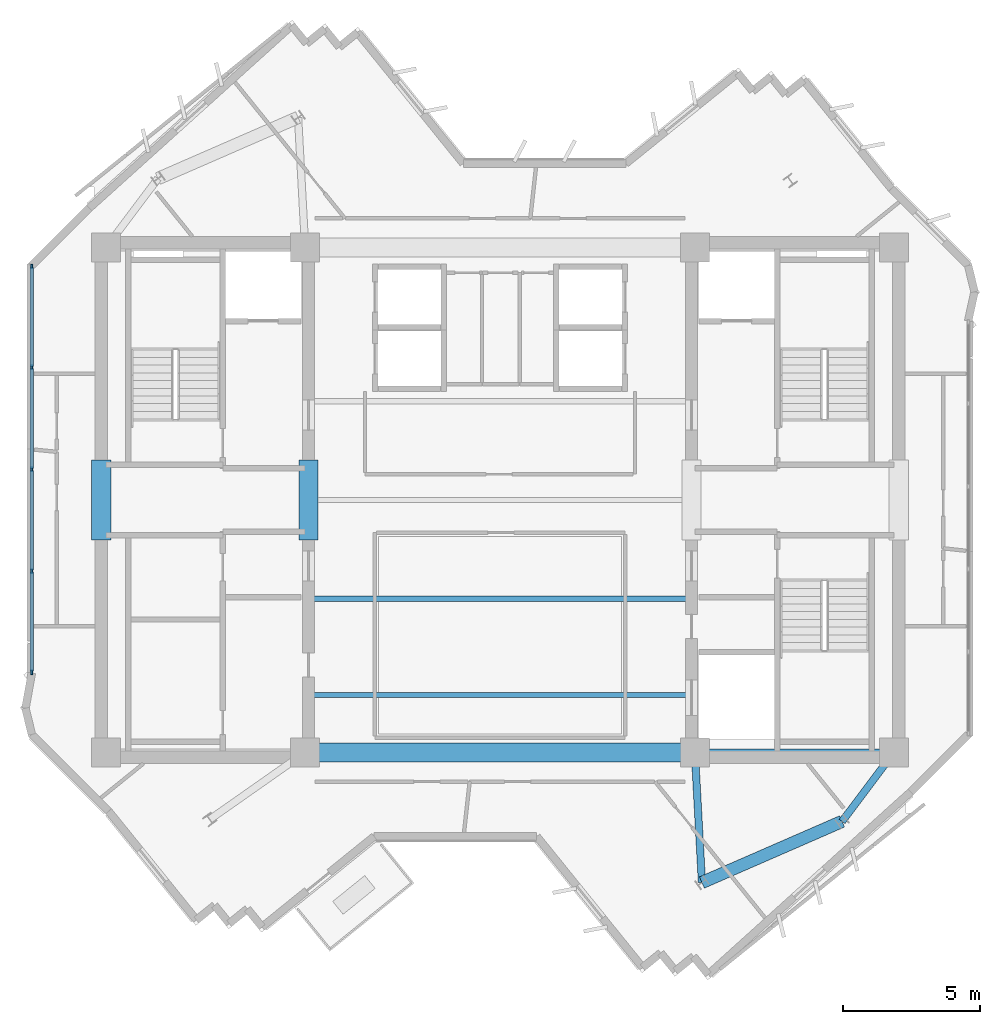
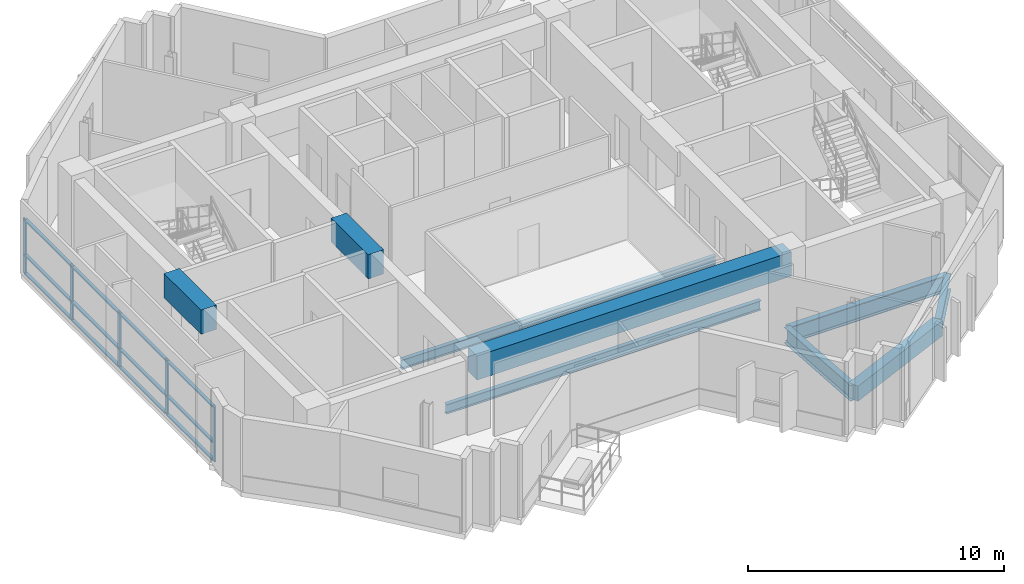
# One storey, part 2 of 11: 17 members, 9 beams, 1 element without a shape of its own.
"""IFC4 building model written with IfcOpenShell, lengths in metres."""

from ifc_helpers import new_model, si_unit, direction, frame, origin, origin_2d, place, context, subcontext, project, spatial, rectangle, i_section, extrude, source, transform, mapped, material, layer, layer_set, material_profile, profile_set, type_object, element, aggregate, save


model = new_model("IFC4")

# Units and contexts
model_context = context("Model", 3, precision=1e-05, world=origin(), true_north=direction((0.0, 1.0)))
body_context = subcontext(model_context, "Body", "Model", "MODEL_VIEW")
ifc_project = project(units=[si_unit("LENGTHUNIT", "METRE"), si_unit("AREAUNIT", "SQUARE_METRE"), si_unit("VOLUMEUNIT", "CUBIC_METRE"), si_unit("PLANEANGLEUNIT", "RADIAN"), si_unit("MASSUNIT", "GRAM", prefix="KILO")], contexts=[model_context])

# Site, building, storey
site_placement = place(None, origin())
site = spatial("IfcSite", under=ifc_project, at=site_placement, CompositionType="ELEMENT")
building_placement = place(site_placement, origin())
building = spatial("IfcBuilding", under=site, at=building_placement, Name="Zahravan Cultural Tower", CompositionType="ELEMENT")
storey_placement = place(building_placement, frame((0.0, 0.0, 284.10009765625)))
storey = spatial("IfcBuildingStorey", under=building, at=storey_placement, Name="L68", CompositionType="ELEMENT", Elevation=284.10009765625)

# Beams
ifc_material_1 = material(Name="Concrete C50/60", Category="concrete")
ifc_material_profile_1 = material_profile(ifc_material_1, rectangle(XDim=0.699951171875, YDim=1.14990234375, at=origin_2d()), Name="RC700X1150")
ifc_profile_set_1 = profile_set([ifc_material_profile_1], Name="Concrete C50/60")
beam_type_1 = type_object("IfcBeamType", Name="BM-LN-RC700X1150", PredefinedType="LINTEL", material=ifc_profile_set_1)
shared_shape_1 = source(origin(), body_context, "Body", "SweptSolid", [
    extrude(rectangle(XDim=0.699951171875, YDim=1.14990234375, at=origin_2d()), origin(), (0.0, 0.0, 1.0), 14.2001953125),
])
beam_1_placement = place(storey_placement, frame((28.89990234375, 17.800048828125, 2.9248046875), z_axis=(1.0, 0.0, 0.0), x_axis=(0.0, 1.0, 0.0)))
element("IfcBeam", 1, at=beam_1_placement, inside=storey, type_object=beam_type_1, Name="L68 Beam LN-L68-S", PredefinedType="LINTEL", context=body_context, shape_type="MappedRepresentation", body=[
    mapped(shared_shape_1, transform((0.0, 0.0, 0.0), x_axis=(1.0, 0.0, 0.0), y_axis=(0.0, 1.0, 0.0), z_axis=(0.0, 0.0, 1.0), scale=1.0)),
])
shared_shape_2 = source(origin(), body_context, "Body", "SweptSolid", [
    extrude(rectangle(XDim=0.699951171875, YDim=1.14990234375, at=origin_2d()), origin(), (0.0, 0.0, 1.0), 2.89990234375),
])
for number, where, z_axis, x_axis, name in (
    (2, (21.47509765625, 25.550048828125, 2.9248046875), (0.0, 1.0, 0.0), (-1.0, 0.0, 0.0), "L68 Beam LN-L68-PWW"),
    (3, (29.02490234375, 25.550048828125, 2.9248046875), (0.0, 1.0, 0.0), (-1.0, 0.0, 0.0), "L68 Beam LN-L68-PWE"),
):
    element("IfcBeam", number, at=place(storey_placement, frame(where, z_axis=z_axis, x_axis=x_axis)), inside=storey, type_object=beam_type_1, Name=name, PredefinedType="LINTEL", context=body_context, shape_type="MappedRepresentation", body=[
        mapped(shared_shape_2, transform((0.0, 0.0, 0.0), x_axis=(1.0, 0.0, 0.0), y_axis=(0.0, 1.0, 0.0), z_axis=(0.0, 0.0, 1.0), scale=1.0)),
    ])
ifc_material_2 = material(Name="Steel ASTM A992 Grade 50", Category="steel")
ifc_material_profile_2 = material_profile(ifc_material_2, i_section(OverallWidth=0.26611328125, OverallDepth=0.780029296875, WebThickness=0.0166015625, FlangeThickness=0.030029296875, FilletRadius=0.01904296875, at=origin_2d()), Name="W30X148")
ifc_profile_set_2 = profile_set([ifc_material_profile_2], Name="Steel ASTM A992 Grade 50")
beam_type_2 = type_object("IfcBeamType", Name="BM-G-W30X148", PredefinedType="BEAM", material=ifc_profile_set_2)
shared_shape_3 = source(origin(), body_context, "Body", "SweptSolid", [
    extrude(i_section(OverallWidth=0.26611328125, OverallDepth=0.780029296875, WebThickness=0.0166015625, FlangeThickness=0.030029296875, FilletRadius=0.01904296875, at=origin_2d()), origin(), (0.0, 0.0, 1.0), 7.25),
])
beam_2_placement = place(storey_placement, frame((43.10009765625, 17.800048828125, -0.64013671875), z_axis=(1.0, 0.0, 0.0), x_axis=(0.0, 1.0, 0.0)))
element("IfcBeam", 4, at=beam_2_placement, inside=storey, type_object=beam_type_2, Name="L68 Beam BG-L68-04", PredefinedType="BEAM", context=body_context, shape_type="MappedRepresentation", body=[
    mapped(shared_shape_3, transform((0.0, 0.0, 0.0), x_axis=(1.0, 0.0, 0.0), y_axis=(0.0, 1.0, 0.0), z_axis=(0.0, 0.0, 1.0), scale=1.0)),
])
ifc_material_profile_3 = material_profile(ifc_material_2, i_section(OverallWidth=0.26708984375, OverallDepth=0.761962890625, WebThickness=0.014404296875, FlangeThickness=0.021484375, FilletRadius=0.01904296875, at=origin_2d()), Name="W30X116")
ifc_profile_set_3 = profile_set([ifc_material_profile_3], Name="Steel ASTM A992 Grade 50")
beam_type_3 = type_object("IfcBeamType", Name="BM-G-W30X116", PredefinedType="BEAM", material=ifc_profile_set_3)
shared_shape_4 = source(origin(), body_context, "Body", "SweptSolid", [
    extrude(i_section(OverallWidth=0.26708984375, OverallDepth=0.761962890625, WebThickness=0.014404296875, FlangeThickness=0.021484375, FilletRadius=0.01904296875, at=origin_2d()), origin(), (0.0, 0.0, 1.0), 4.744384765625),
])
beam_3_placement = place(storey_placement, frame((43.10009765625, 17.800048828125, -0.631103515625), z_axis=(0.054238739845, -0.998527996152, 0.0), x_axis=(0.998527996152, 0.054238739845, 0.0)))
element("IfcBeam", 5, at=beam_3_placement, inside=storey, type_object=beam_type_3, Name="L68 Beam BG-L68-08", PredefinedType="BEAM", context=body_context, shape_type="MappedRepresentation", body=[
    mapped(shared_shape_4, transform((0.0, 0.0, 0.0), x_axis=(1.0, 0.0, 0.0), y_axis=(0.0, 1.0, 0.0), z_axis=(0.0, 0.0, 1.0), scale=1.0)),
])
shared_shape_5 = source(origin(), body_context, "Body", "SweptSolid", [
    extrude(i_section(OverallWidth=0.26708984375, OverallDepth=0.761962890625, WebThickness=0.014404296875, FlangeThickness=0.021484375, FilletRadius=0.01904296875, at=origin_2d()), origin(), (0.0, 0.0, 1.0), 3.140380859375),
])
beam_4_placement = place(storey_placement, frame((50.35009765625, 17.800048828125, -0.631103515625), z_axis=(-0.600696322208, -0.799477284534, 0.0), x_axis=(0.799477284534, -0.600696322208, 0.0)))
element("IfcBeam", 6, at=beam_4_placement, inside=storey, type_object=beam_type_3, Name="L68 Beam BG-L68-09", PredefinedType="BEAM", context=body_context, shape_type="MappedRepresentation", body=[
    mapped(shared_shape_5, transform((0.0, 0.0, 0.0), x_axis=(1.0, 0.0, 0.0), y_axis=(0.0, 1.0, 0.0), z_axis=(0.0, 0.0, 1.0), scale=1.0)),
])
ifc_material_3 = material(Name="Concrete C45/55", Category="concrete")
ifc_material_profile_4 = material_profile(ifc_material_3, rectangle(XDim=0.449951171875, YDim=0.719970703125, at=origin_2d()), Name="RC450X720")
ifc_profile_set_4 = profile_set([ifc_material_profile_4], Name="Concrete C45/55")
beam_type_4 = type_object("IfcBeamType", Name="BM-SP-RC450X720", PredefinedType="SPANDREL", material=ifc_profile_set_4)
shared_shape_6 = source(origin(), body_context, "Body", "SweptSolid", [
    extrude(rectangle(XDim=0.449951171875, YDim=0.719970703125, at=origin_2d()), origin(), (0.0, 0.0, 1.0), 5.570556640625),
])
beam_5_placement = place(storey_placement, frame((43.357421875, 13.062744140625, -0.610107421875), z_axis=(0.9166445026, 0.399703459896, 0.0), x_axis=(-0.399703459896, 0.9166445026, 0.0)))
element("IfcBeam", 7, at=beam_5_placement, inside=storey, type_object=beam_type_4, Name="L68 Beam SP-L68-12", PredefinedType="SPANDREL", context=body_context, shape_type="MappedRepresentation", body=[
    mapped(shared_shape_6, transform((0.0, 0.0, 0.0), x_axis=(1.0, 0.0, 0.0), y_axis=(0.0, 1.0, 0.0), z_axis=(0.0, 0.0, 1.0), scale=1.0)),
])
ifc_material_profile_5 = material_profile(ifc_material_2, i_section(OverallWidth=0.18994140625, OverallDepth=0.45703125, WebThickness=0.009033203125, FlangeThickness=0.014404296875, FilletRadius=0.012939453125, at=origin_2d()), Name="W18X50")
ifc_profile_set_5 = profile_set([ifc_material_profile_5], Name="Steel ASTM A992 Grade 50")
beam_type_5 = type_object("IfcBeamType", Name="BM-J-W18X50", PredefinedType="JOIST", material=ifc_profile_set_5)
shared_shape_7 = source(origin(), body_context, "Body", "SweptSolid", [
    extrude(i_section(OverallWidth=0.18994140625, OverallDepth=0.45703125, WebThickness=0.009033203125, FlangeThickness=0.014404296875, FilletRadius=0.012939453125, at=origin_2d()), origin(), (0.0, 0.0, 1.0), 14.2001953125),
])
for number, where, z_axis, x_axis, name in (
    (8, (28.89990234375, 19.89990234375, -0.478515625), (1.0, 0.0, 0.0), (0.0, 1.0, 0.0), "L68 Beam BJ-L68-14"),
    (9, (28.89990234375, 23.39990234375, -0.478515625), (1.0, 0.0, 0.0), (0.0, 1.0, 0.0), "L68 Beam BJ-L68-15"),
):
    element("IfcBeam", number, at=place(storey_placement, frame(where, z_axis=z_axis, x_axis=x_axis)), inside=storey, type_object=beam_type_5, Name=name, PredefinedType="JOIST", context=body_context, shape_type="MappedRepresentation", body=[
        mapped(shared_shape_7, transform((0.0, 0.0, 0.0), x_axis=(1.0, 0.0, 0.0), y_axis=(0.0, 1.0, 0.0), z_axis=(0.0, 0.0, 1.0), scale=1.0)),
    ])

# Curtain wall, members
ifc_material_4 = material(Name="Anodised bronze-aluminium mullion", Category="aluminium")
ifc_layer = layer(ifc_material_4, 0.179931640625)
ifc_layer_set = layer_set([ifc_layer], Name="Anodised bronze-aluminium mullion")
curtain_wall_type = type_object("IfcCurtainWallType", Name="CW-SYS-3", PredefinedType="USERDEFINED", material=ifc_layer_set)
curtain_wall_placement = place(storey_placement, origin())
curtain_wall = element("IfcCurtainWall", 10, at=curtain_wall_placement, inside=storey, type_object=curtain_wall_type, Name="L68 Recessed Curtain Wall CW-3.1", ObjectType="RECESSED GLAZING", PredefinedType="USERDEFINED")
ifc_material_profile_6 = material_profile(ifc_material_4, rectangle(XDim=0.070068359375, YDim=0.179931640625, at=origin_2d()), Name="AL-M70X180")
ifc_profile_set_6 = profile_set([ifc_material_profile_6], Name="Anodised bronze-aluminium mullion")
member_type_1 = type_object("IfcMemberType", Name="CWM-CW-3", PredefinedType="MULLION", material=ifc_profile_set_6)
shared_shape_8 = source(origin(), body_context, "Body", "SweptSolid", [
    extrude(rectangle(XDim=0.070068359375, YDim=0.179931640625, at=origin_2d()), origin(), (0.0, 0.0, 1.0), 2.619873046875),
])
member_1_placement = place(storey_placement, frame((18.93994140625, 20.728515625, 0.0), z_axis=(0.0, 0.0, 1.0), x_axis=(-1.0, 0.0, 0.0)))
member_1 = element("IfcMember", 11, at=member_1_placement, type_object=member_type_1, Name="CW-3 mullion 1", PredefinedType="MULLION", context=body_context, shape_type="MappedRepresentation", body=[
    mapped(shared_shape_8, transform((0.0, 0.0, 0.0), x_axis=(1.0, 0.0, 0.0), y_axis=(0.0, 1.0, 0.0), z_axis=(0.0, 0.0, 1.0), scale=1.0)),
])
member_2_placement = place(storey_placement, frame((18.93994140625, 24.405517578125, 0.0), z_axis=(0.0, 0.0, 1.0), x_axis=(-1.0, 0.0, 0.0)))
member_2 = element("IfcMember", 12, at=member_2_placement, type_object=member_type_1, Name="CW-3 mullion 2", PredefinedType="MULLION", context=body_context, shape_type="MappedRepresentation", body=[
    mapped(shared_shape_8, transform((0.0, 0.0, 0.0), x_axis=(1.0, 0.0, 0.0), y_axis=(0.0, 1.0, 0.0), z_axis=(0.0, 0.0, 1.0), scale=1.0)),
])
member_3_placement = place(storey_placement, frame((18.93994140625, 28.11767578125, 0.0), z_axis=(0.0, 0.0, 1.0), x_axis=(-1.0, 0.0, 0.0)))
member_3 = element("IfcMember", 13, at=member_3_placement, type_object=member_type_1, Name="CW-3 mullion 3", PredefinedType="MULLION", context=body_context, shape_type="MappedRepresentation", body=[
    mapped(shared_shape_8, transform((0.0, 0.0, 0.0), x_axis=(1.0, 0.0, 0.0), y_axis=(0.0, 1.0, 0.0), z_axis=(0.0, 0.0, 1.0), scale=1.0)),
])
member_4_placement = place(storey_placement, frame((18.93994140625, 31.829833984375, 0.0), z_axis=(0.0, 0.0, 1.0), x_axis=(-1.0, 0.0, 0.0)))
member_4 = element("IfcMember", 14, at=member_4_placement, type_object=member_type_1, Name="CW-3 mullion 4", PredefinedType="MULLION", context=body_context, shape_type="MappedRepresentation", body=[
    mapped(shared_shape_8, transform((0.0, 0.0, 0.0), x_axis=(1.0, 0.0, 0.0), y_axis=(0.0, 1.0, 0.0), z_axis=(0.0, 0.0, 1.0), scale=1.0)),
])
member_5_placement = place(storey_placement, frame((18.93994140625, 35.507080078125, 0.0), z_axis=(0.0, 0.0, 1.0), x_axis=(-1.0, 0.0, 0.0)))
member_5 = element("IfcMember", 15, at=member_5_placement, type_object=member_type_1, Name="CW-3 mullion 5", PredefinedType="MULLION", context=body_context, shape_type="MappedRepresentation", body=[
    mapped(shared_shape_8, transform((0.0, 0.0, 0.0), x_axis=(1.0, 0.0, 0.0), y_axis=(0.0, 1.0, 0.0), z_axis=(0.0, 0.0, 1.0), scale=1.0)),
])
ifc_material_profile_7 = material_profile(ifc_material_4, rectangle(XDim=0.139892578125, YDim=0.070068359375, at=origin_2d()), Name="AL-T70X140")
ifc_profile_set_7 = profile_set([ifc_material_profile_7], Name="Anodised bronze-aluminium mullion")
member_type_2 = type_object("IfcMemberType", Name="CWT-CW-3", PredefinedType="USERDEFINED", material=ifc_profile_set_7)
shared_shape_9 = source(origin(), body_context, "Body", "SweptSolid", [
    extrude(rectangle(XDim=0.139892578125, YDim=0.070068359375, at=origin_2d()), origin(), (0.0, 0.0, 1.0), 3.607177734375),
])
member_6_placement = place(storey_placement, frame((18.93994140625, 20.763427734375, 0.034912109375), z_axis=(0.0, 1.0, 0.0), x_axis=(-1.0, 0.0, 0.0)))
member_6 = element("IfcMember", 16, at=member_6_placement, type_object=member_type_2, Name="CW-3 transom 1.1", ObjectType="TRANSOM", PredefinedType="USERDEFINED", context=body_context, shape_type="MappedRepresentation", body=[
    mapped(shared_shape_9, transform((0.0, 0.0, 0.0), x_axis=(1.0, 0.0, 0.0), y_axis=(0.0, 1.0, 0.0), z_axis=(0.0, 0.0, 1.0), scale=1.0)),
])
member_7_placement = place(storey_placement, frame((18.93994140625, 20.763427734375, 0.89990234375), z_axis=(0.0, 1.0, 0.0), x_axis=(-1.0, 0.0, 0.0)))
member_7 = element("IfcMember", 17, at=member_7_placement, type_object=member_type_2, Name="CW-3 transom 1.2", ObjectType="TRANSOM", PredefinedType="USERDEFINED", context=body_context, shape_type="MappedRepresentation", body=[
    mapped(shared_shape_9, transform((0.0, 0.0, 0.0), x_axis=(1.0, 0.0, 0.0), y_axis=(0.0, 1.0, 0.0), z_axis=(0.0, 0.0, 1.0), scale=1.0)),
])
member_8_placement = place(storey_placement, frame((18.93994140625, 20.763427734375, 2.5849609375), z_axis=(0.0, 1.0, 0.0), x_axis=(-1.0, 0.0, 0.0)))
member_8 = element("IfcMember", 18, at=member_8_placement, type_object=member_type_2, Name="CW-3 transom 1.3", ObjectType="TRANSOM", PredefinedType="USERDEFINED", context=body_context, shape_type="MappedRepresentation", body=[
    mapped(shared_shape_9, transform((0.0, 0.0, 0.0), x_axis=(1.0, 0.0, 0.0), y_axis=(0.0, 1.0, 0.0), z_axis=(0.0, 0.0, 1.0), scale=1.0)),
])
member_9_placement = place(storey_placement, frame((18.93994140625, 31.86474609375, 0.034912109375), z_axis=(0.0, 1.0, 0.0), x_axis=(-1.0, 0.0, 0.0)))
member_9 = element("IfcMember", 19, at=member_9_placement, type_object=member_type_2, Name="CW-3 transom 4.1", ObjectType="TRANSOM", PredefinedType="USERDEFINED", context=body_context, shape_type="MappedRepresentation", body=[
    mapped(shared_shape_9, transform((0.0, 0.0, 0.0), x_axis=(1.0, 0.0, 0.0), y_axis=(0.0, 1.0, 0.0), z_axis=(0.0, 0.0, 1.0), scale=1.0)),
])
member_10_placement = place(storey_placement, frame((18.93994140625, 31.86474609375, 0.89990234375), z_axis=(0.0, 1.0, 0.0), x_axis=(-1.0, 0.0, 0.0)))
member_10 = element("IfcMember", 20, at=member_10_placement, type_object=member_type_2, Name="CW-3 transom 4.2", ObjectType="TRANSOM", PredefinedType="USERDEFINED", context=body_context, shape_type="MappedRepresentation", body=[
    mapped(shared_shape_9, transform((0.0, 0.0, 0.0), x_axis=(1.0, 0.0, 0.0), y_axis=(0.0, 1.0, 0.0), z_axis=(0.0, 0.0, 1.0), scale=1.0)),
])
member_11_placement = place(storey_placement, frame((18.93994140625, 31.86474609375, 2.5849609375), z_axis=(0.0, 1.0, 0.0), x_axis=(-1.0, 0.0, 0.0)))
member_11 = element("IfcMember", 21, at=member_11_placement, type_object=member_type_2, Name="CW-3 transom 4.3", ObjectType="TRANSOM", PredefinedType="USERDEFINED", context=body_context, shape_type="MappedRepresentation", body=[
    mapped(shared_shape_9, transform((0.0, 0.0, 0.0), x_axis=(1.0, 0.0, 0.0), y_axis=(0.0, 1.0, 0.0), z_axis=(0.0, 0.0, 1.0), scale=1.0)),
])
shared_shape_10 = source(origin(), body_context, "Body", "SweptSolid", [
    extrude(rectangle(XDim=0.139892578125, YDim=0.070068359375, at=origin_2d()), origin(), (0.0, 0.0, 1.0), 3.642333984375),
])
member_12_placement = place(storey_placement, frame((18.93994140625, 24.4404296875, 0.034912109375), z_axis=(0.0, 1.0, 0.0), x_axis=(-1.0, 0.0, 0.0)))
member_12 = element("IfcMember", 22, at=member_12_placement, type_object=member_type_2, Name="CW-3 transom 2.1", ObjectType="TRANSOM", PredefinedType="USERDEFINED", context=body_context, shape_type="MappedRepresentation", body=[
    mapped(shared_shape_10, transform((0.0, 0.0, 0.0), x_axis=(1.0, 0.0, 0.0), y_axis=(0.0, 1.0, 0.0), z_axis=(0.0, 0.0, 1.0), scale=1.0)),
])
member_13_placement = place(storey_placement, frame((18.93994140625, 24.4404296875, 0.89990234375), z_axis=(0.0, 1.0, 0.0), x_axis=(-1.0, 0.0, 0.0)))
member_13 = element("IfcMember", 23, at=member_13_placement, type_object=member_type_2, Name="CW-3 transom 2.2", ObjectType="TRANSOM", PredefinedType="USERDEFINED", context=body_context, shape_type="MappedRepresentation", body=[
    mapped(shared_shape_10, transform((0.0, 0.0, 0.0), x_axis=(1.0, 0.0, 0.0), y_axis=(0.0, 1.0, 0.0), z_axis=(0.0, 0.0, 1.0), scale=1.0)),
])
member_14_placement = place(storey_placement, frame((18.93994140625, 24.4404296875, 2.5849609375), z_axis=(0.0, 1.0, 0.0), x_axis=(-1.0, 0.0, 0.0)))
member_14 = element("IfcMember", 24, at=member_14_placement, type_object=member_type_2, Name="CW-3 transom 2.3", ObjectType="TRANSOM", PredefinedType="USERDEFINED", context=body_context, shape_type="MappedRepresentation", body=[
    mapped(shared_shape_10, transform((0.0, 0.0, 0.0), x_axis=(1.0, 0.0, 0.0), y_axis=(0.0, 1.0, 0.0), z_axis=(0.0, 0.0, 1.0), scale=1.0)),
])
member_15_placement = place(storey_placement, frame((18.93994140625, 28.152587890625, 0.034912109375), z_axis=(0.0, 1.0, 0.0), x_axis=(-1.0, 0.0, 0.0)))
member_15 = element("IfcMember", 25, at=member_15_placement, type_object=member_type_2, Name="CW-3 transom 3.1", ObjectType="TRANSOM", PredefinedType="USERDEFINED", context=body_context, shape_type="MappedRepresentation", body=[
    mapped(shared_shape_10, transform((0.0, 0.0, 0.0), x_axis=(1.0, 0.0, 0.0), y_axis=(0.0, 1.0, 0.0), z_axis=(0.0, 0.0, 1.0), scale=1.0)),
])
member_16_placement = place(storey_placement, frame((18.93994140625, 28.152587890625, 0.89990234375), z_axis=(0.0, 1.0, 0.0), x_axis=(-1.0, 0.0, 0.0)))
member_16 = element("IfcMember", 26, at=member_16_placement, type_object=member_type_2, Name="CW-3 transom 3.2", ObjectType="TRANSOM", PredefinedType="USERDEFINED", context=body_context, shape_type="MappedRepresentation", body=[
    mapped(shared_shape_10, transform((0.0, 0.0, 0.0), x_axis=(1.0, 0.0, 0.0), y_axis=(0.0, 1.0, 0.0), z_axis=(0.0, 0.0, 1.0), scale=1.0)),
])
member_17_placement = place(storey_placement, frame((18.93994140625, 28.152587890625, 2.5849609375), z_axis=(0.0, 1.0, 0.0), x_axis=(-1.0, 0.0, 0.0)))
member_17 = element("IfcMember", 27, at=member_17_placement, type_object=member_type_2, Name="CW-3 transom 3.3", ObjectType="TRANSOM", PredefinedType="USERDEFINED", context=body_context, shape_type="MappedRepresentation", body=[
    mapped(shared_shape_10, transform((0.0, 0.0, 0.0), x_axis=(1.0, 0.0, 0.0), y_axis=(0.0, 1.0, 0.0), z_axis=(0.0, 0.0, 1.0), scale=1.0)),
])
aggregate(curtain_wall, [member_1, member_2, member_3, member_4, member_5, member_6, member_7, member_8, member_12, member_13, member_14, member_15, member_16, member_17, member_9, member_10, member_11])

save(model, "model.ifc")
